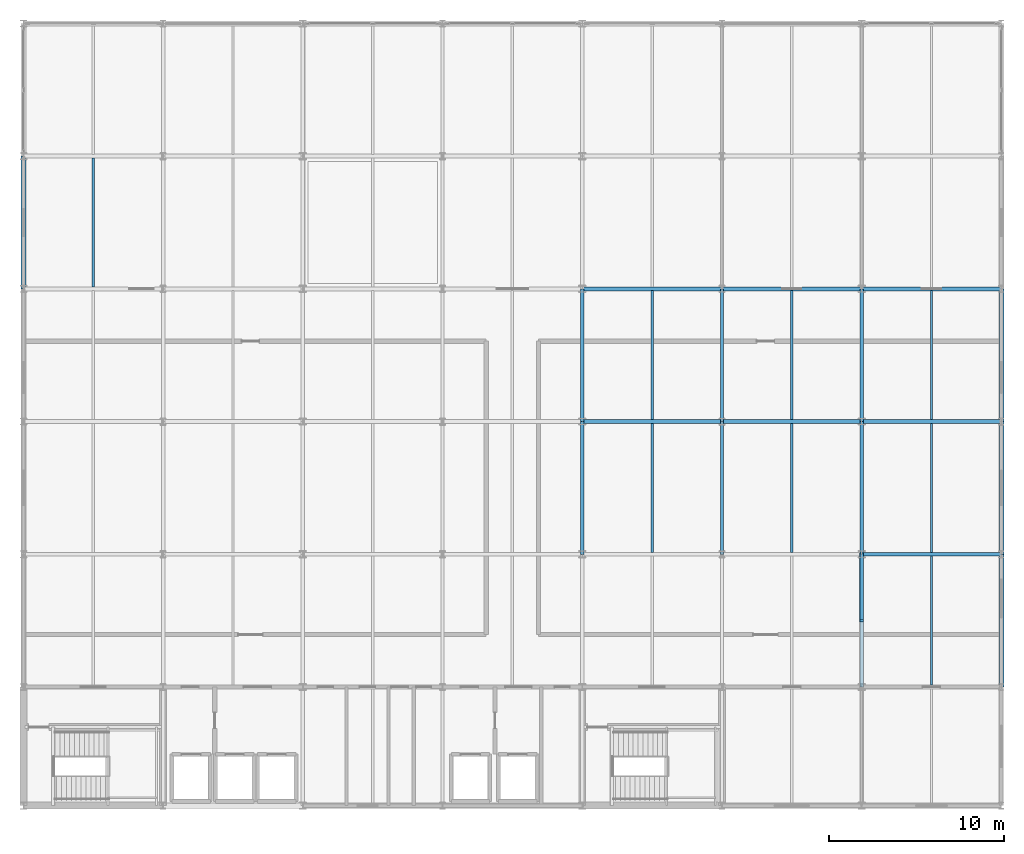
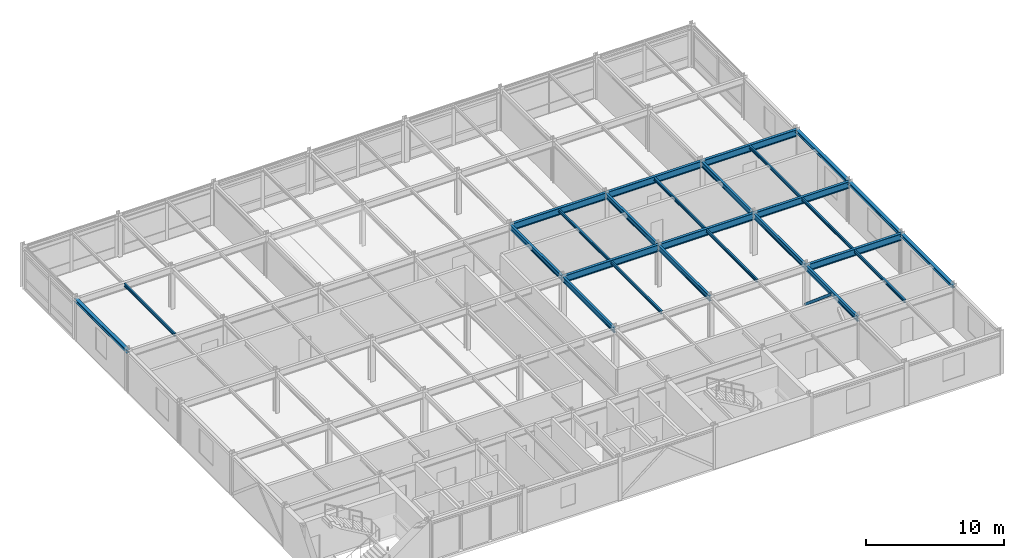
# One storey, part 5 of 14: 26 beams, 1 member.
"""IFC4 building model written with IfcOpenShell, lengths in metres."""

from ifc_helpers import new_model, si_unit, direction, frame, origin, origin_2d, place, context, subcontext, project, spatial, hollow_rectangle, i_section, extrude, material, material_profile, profile_set, type_object, element, save


model = new_model("IFC4")

# Units and contexts
model_context = context("Model", 3, precision=1e-05, world=origin(), true_north=direction((0.0, 1.0)))
body_context = subcontext(model_context, "Body", "Model", "MODEL_VIEW")
ifc_project = project(units=[si_unit("LENGTHUNIT", "METRE"), si_unit("AREAUNIT", "SQUARE_METRE"), si_unit("VOLUMEUNIT", "CUBIC_METRE"), si_unit("PLANEANGLEUNIT", "RADIAN"), si_unit("MASSUNIT", "GRAM", prefix="KILO")], contexts=[model_context])

# Site, building, storey
site_placement = place(None, origin())
site = spatial("IfcSite", under=ifc_project, at=site_placement, CompositionType="ELEMENT")
building_placement = place(site_placement, origin())
building = spatial("IfcBuilding", under=site, at=building_placement, Name="Shalkamar Park Central Library", CompositionType="ELEMENT")
storey_placement = place(building_placement, frame((0.0, 0.0, 28.199951171875)))
storey = spatial("IfcBuildingStorey", under=building, at=storey_placement, Name="L07", CompositionType="ELEMENT", Elevation=28.199951171875)

# Beams
ifc_material = material(Name="Steel S355", Category="steel")
ifc_material_profile_1 = material_profile(ifc_material, i_section(OverallWidth=0.135009765625, OverallDepth=0.27001953125, WebThickness=0.006591796875, FlangeThickness=0.01025390625, FilletRadius=0.014892578125, at=origin_2d()), Name="IPE 270")
ifc_profile_set_1 = profile_set([ifc_material_profile_1], Name="Steel S355")
beam_type_1 = type_object("IfcBeamType", Name="Composite Floor Joist IPE270", PredefinedType="JOIST", material=ifc_profile_set_1)
for number, where, z_axis, x_axis, name in (
    (1, (169.0, 278.10791015625, 3.525146484375), (0.0, 1.0, 0.0), (-1.0, 0.0, 0.0), "Composite Joist 07/F-1 (L07)"),
    (2, (201.0, 262.907958984375, 3.525146484375), (0.0, 1.0, 0.0), (-1.0, 0.0, 0.0), "Composite Joist 11/D-1 (L07)"),
    (3, (201.0, 270.508056640625, 3.525146484375), (0.0, 1.0, 0.0), (-1.0, 0.0, 0.0), "Composite Joist 11/E-1 (L07)"),
    (4, (209.0, 262.907958984375, 3.525146484375), (0.0, 1.0, 0.0), (-1.0, 0.0, 0.0), "Composite Joist 12/D-1 (L07)"),
    (5, (209.0, 270.508056640625, 3.525146484375), (0.0, 1.0, 0.0), (-1.0, 0.0, 0.0), "Composite Joist 12/E-1 (L07)"),
):
    element("IfcBeam", number, at=place(storey_placement, frame(where, z_axis=z_axis, x_axis=x_axis)), inside=storey, type_object=beam_type_1, Name=name, PredefinedType="JOIST", context=body_context, shape_type="SweptSolid", body=[
        extrude(i_section(OverallWidth=0.135009765625, OverallDepth=0.27001953125, WebThickness=0.006591796875, FlangeThickness=0.01025390625, FilletRadius=0.014892578125, at=origin_2d()), origin(), (0.0, 0.0, 1.0), 7.384033203125),
    ])
beam_1_placement = place(storey_placement, frame((217.0, 255.30810546875, 3.525146484375), z_axis=(0.0, 1.0, 0.0), x_axis=(-1.0, 0.0, 0.0)))
element("IfcBeam", 6, at=beam_1_placement, inside=storey, type_object=beam_type_1, Name="Composite Joist 13/C-1 (L07)", PredefinedType="JOIST", context=body_context, shape_type="SweptSolid", body=[
    extrude(i_section(OverallWidth=0.135009765625, OverallDepth=0.27001953125, WebThickness=0.006591796875, FlangeThickness=0.01025390625, FilletRadius=0.014892578125, at=origin_2d()), origin(), (0.0, 0.0, 1.0), 7.3837890625),
])
for number, where, z_axis, x_axis, name in (
    (7, (217.0, 262.907958984375, 3.525146484375), (0.0, 1.0, 0.0), (-1.0, 0.0, 0.0), "Composite Joist 13/D-1 (L07)"),
    (8, (217.0, 270.508056640625, 3.525146484375), (0.0, 1.0, 0.0), (-1.0, 0.0, 0.0), "Composite Joist 13/E-1 (L07)"),
):
    element("IfcBeam", number, at=place(storey_placement, frame(where, z_axis=z_axis, x_axis=x_axis)), inside=storey, type_object=beam_type_1, Name=name, PredefinedType="JOIST", context=body_context, shape_type="SweptSolid", body=[
        extrude(i_section(OverallWidth=0.135009765625, OverallDepth=0.27001953125, WebThickness=0.006591796875, FlangeThickness=0.01025390625, FilletRadius=0.014892578125, at=origin_2d()), origin(), (0.0, 0.0, 1.0), 7.384033203125),
    ])

# Member
ifc_material_profile_2 = material_profile(ifc_material, hollow_rectangle(XDim=0.219970703125, YDim=0.219970703125, WallThickness=0.010009765625, InnerFilletRadius=0.010009765625, OuterFilletRadius=0.014892578125, at=origin_2d()), Name="SHS 220x220x10")
ifc_profile_set_2 = profile_set([ifc_material_profile_2], Name="Steel S355")
member_type = type_object("IfcMemberType", Name="Diagonal Brace SHS220", PredefinedType="BRACE", material=ifc_profile_set_2)
member_placement = place(storey_placement, frame((213.0, 262.800048828125, 0.150146484375), z_axis=(0.0, -0.763927756814, 0.645301776202), x_axis=(1.0, 0.0, 0.0)))
element("IfcMember", 9, at=member_placement, inside=storey, type_object=member_type, Name="Chevron Brace TW-E Leg B (L07)", PredefinedType="BRACE", context=body_context, shape_type="SweptSolid", body=[
    extrude(hollow_rectangle(XDim=0.219970703125, YDim=0.219970703125, WallThickness=0.010009765625, InnerFilletRadius=0.010009765625, OuterFilletRadius=0.014892578125, at=origin_2d()), origin(), (0.0, 0.0, 1.0), 4.974365234375),
])

# Beams
ifc_material_profile_3 = material_profile(ifc_material, i_section(OverallWidth=0.280029296875, OverallDepth=0.27001953125, WebThickness=0.008056640625, FlangeThickness=0.012939453125, FilletRadius=0.02392578125, at=origin_2d()), Name="HEA 280")
ifc_profile_set_3 = profile_set([ifc_material_profile_3], Name="Steel S355")
beam_type_2 = type_object("IfcBeamType", Name="Perimeter Spandrel Beam HEA280", PredefinedType="SPANDREL", material=ifc_profile_set_3)
for number, where, z_axis, x_axis, name in (
    (10, (165.0, 278.0, 3.525146484375), (0.0, 1.0, 0.0), (-1.0, 0.0, 0.0), "Beam 07:F-G (L07)"),
    (11, (221.0, 255.199951171875, 3.525146484375), (0.0, 1.0, 0.0), (-1.0, 0.0, 0.0), "Beam 14:C-D (L07)"),
):
    element("IfcBeam", number, at=place(storey_placement, frame(where, z_axis=z_axis, x_axis=x_axis)), inside=storey, type_object=beam_type_2, Name=name, PredefinedType="SPANDREL", context=body_context, shape_type="SweptSolid", body=[
        extrude(i_section(OverallWidth=0.280029296875, OverallDepth=0.27001953125, WebThickness=0.008056640625, FlangeThickness=0.012939453125, FilletRadius=0.02392578125, at=origin_2d()), origin(), (0.0, 0.0, 1.0), 7.60009765625),
    ])
beam_2_placement = place(storey_placement, frame((221.0, 262.800048828125, 3.525146484375), z_axis=(0.0, 1.0, 0.0), x_axis=(-1.0, 0.0, 0.0)))
element("IfcBeam", 12, at=beam_2_placement, inside=storey, type_object=beam_type_2, Name="Beam 14:D-E (L07)", PredefinedType="SPANDREL", context=body_context, shape_type="SweptSolid", body=[
    extrude(i_section(OverallWidth=0.280029296875, OverallDepth=0.27001953125, WebThickness=0.008056640625, FlangeThickness=0.012939453125, FilletRadius=0.02392578125, at=origin_2d()), origin(), (0.0, 0.0, 1.0), 7.599853515625),
])
beam_3_placement = place(storey_placement, frame((221.0, 270.39990234375, 3.525146484375), z_axis=(0.0, 1.0, 0.0), x_axis=(-1.0, 0.0, 0.0)))
element("IfcBeam", 13, at=beam_3_placement, inside=storey, type_object=beam_type_2, Name="Beam 14:E-F (L07)", PredefinedType="SPANDREL", context=body_context, shape_type="SweptSolid", body=[
    extrude(i_section(OverallWidth=0.280029296875, OverallDepth=0.27001953125, WebThickness=0.008056640625, FlangeThickness=0.012939453125, FilletRadius=0.02392578125, at=origin_2d()), origin(), (0.0, 0.0, 1.0), 7.60009765625),
])
ifc_material_profile_4 = material_profile(ifc_material, i_section(OverallWidth=0.18994140625, OverallDepth=0.449951171875, WebThickness=0.009521484375, FlangeThickness=0.0146484375, FilletRadius=0.02099609375, at=origin_2d()), Name="IPE 450")
ifc_profile_set_4 = profile_set([ifc_material_profile_4], Name="Steel S355")
beam_type_3 = type_object("IfcBeamType", Name="Primary Girder IPE450", PredefinedType="BEAM", material=ifc_profile_set_4)
beam_4_placement = place(storey_placement, frame((197.0, 262.800048828125, 3.43505859375), z_axis=(0.0, 1.0, 0.0), x_axis=(-1.0, 0.0, 0.0)))
element("IfcBeam", 14, at=beam_4_placement, inside=storey, type_object=beam_type_3, Name="Beam 11:D-E (L07)", PredefinedType="BEAM", context=body_context, shape_type="SweptSolid", body=[
    extrude(i_section(OverallWidth=0.18994140625, OverallDepth=0.449951171875, WebThickness=0.009521484375, FlangeThickness=0.0146484375, FilletRadius=0.02099609375, at=origin_2d()), origin(), (0.0, 0.0, 1.0), 7.599853515625),
])
beam_5_placement = place(storey_placement, frame((197.0, 270.39990234375, 3.43505859375), z_axis=(0.0, 1.0, 0.0), x_axis=(-1.0, 0.0, 0.0)))
element("IfcBeam", 15, at=beam_5_placement, inside=storey, type_object=beam_type_3, Name="Beam 11:E-F (L07)", PredefinedType="BEAM", context=body_context, shape_type="SweptSolid", body=[
    extrude(i_section(OverallWidth=0.18994140625, OverallDepth=0.449951171875, WebThickness=0.009521484375, FlangeThickness=0.0146484375, FilletRadius=0.02099609375, at=origin_2d()), origin(), (0.0, 0.0, 1.0), 7.60009765625),
])
beam_6_placement = place(storey_placement, frame((205.0, 262.800048828125, 3.43505859375), z_axis=(0.0, 1.0, 0.0), x_axis=(-1.0, 0.0, 0.0)))
element("IfcBeam", 16, at=beam_6_placement, inside=storey, type_object=beam_type_3, Name="Beam 12:D-E (L07)", PredefinedType="BEAM", context=body_context, shape_type="SweptSolid", body=[
    extrude(i_section(OverallWidth=0.18994140625, OverallDepth=0.449951171875, WebThickness=0.009521484375, FlangeThickness=0.0146484375, FilletRadius=0.02099609375, at=origin_2d()), origin(), (0.0, 0.0, 1.0), 7.599853515625),
])
for number, where, z_axis, x_axis, name in (
    (17, (205.0, 270.39990234375, 3.43505859375), (0.0, 1.0, 0.0), (-1.0, 0.0, 0.0), "Beam 12:E-F (L07)"),
    (18, (213.0, 255.199951171875, 3.43505859375), (0.0, 1.0, 0.0), (-1.0, 0.0, 0.0), "Beam 13:C-D (L07)"),
):
    element("IfcBeam", number, at=place(storey_placement, frame(where, z_axis=z_axis, x_axis=x_axis)), inside=storey, type_object=beam_type_3, Name=name, PredefinedType="BEAM", context=body_context, shape_type="SweptSolid", body=[
        extrude(i_section(OverallWidth=0.18994140625, OverallDepth=0.449951171875, WebThickness=0.009521484375, FlangeThickness=0.0146484375, FilletRadius=0.02099609375, at=origin_2d()), origin(), (0.0, 0.0, 1.0), 7.60009765625),
    ])
beam_7_placement = place(storey_placement, frame((213.0, 262.800048828125, 3.43505859375), z_axis=(0.0, 1.0, 0.0), x_axis=(-1.0, 0.0, 0.0)))
element("IfcBeam", 19, at=beam_7_placement, inside=storey, type_object=beam_type_3, Name="Beam 13:D-E (L07)", PredefinedType="BEAM", context=body_context, shape_type="SweptSolid", body=[
    extrude(i_section(OverallWidth=0.18994140625, OverallDepth=0.449951171875, WebThickness=0.009521484375, FlangeThickness=0.0146484375, FilletRadius=0.02099609375, at=origin_2d()), origin(), (0.0, 0.0, 1.0), 7.599853515625),
])
beam_8_placement = place(storey_placement, frame((213.0, 270.39990234375, 3.43505859375), z_axis=(0.0, 1.0, 0.0), x_axis=(-1.0, 0.0, 0.0)))
element("IfcBeam", 20, at=beam_8_placement, inside=storey, type_object=beam_type_3, Name="Beam 13:E-F (L07)", PredefinedType="BEAM", context=body_context, shape_type="SweptSolid", body=[
    extrude(i_section(OverallWidth=0.18994140625, OverallDepth=0.449951171875, WebThickness=0.009521484375, FlangeThickness=0.0146484375, FilletRadius=0.02099609375, at=origin_2d()), origin(), (0.0, 0.0, 1.0), 7.60009765625),
])
ifc_material_profile_5 = material_profile(ifc_material, i_section(OverallWidth=0.219970703125, OverallDepth=0.60009765625, WebThickness=0.011962890625, FlangeThickness=0.01904296875, FilletRadius=0.02392578125, at=origin_2d()), Name="IPE 600")
ifc_profile_set_5 = profile_set([ifc_material_profile_5], Name="Steel S355")
beam_type_4 = type_object("IfcBeamType", Name="Primary Girder IPE600", PredefinedType="BEAM", material=ifc_profile_set_5)
for number, where, z_axis, x_axis, name in (
    (21, (213.0, 262.800048828125, 3.360107421875), (1.0, 0.0, 0.0), (0.0, 1.0, 0.0), "Beam D:13-14 (L07)"),
    (22, (197.0, 270.39990234375, 3.360107421875), (1.0, 0.0, 0.0), (0.0, 1.0, 0.0), "Beam E:11-12 (L07)"),
    (23, (205.0, 270.39990234375, 3.360107421875), (1.0, 0.0, 0.0), (0.0, 1.0, 0.0), "Beam E:12-13 (L07)"),
    (24, (213.0, 270.39990234375, 3.360107421875), (1.0, 0.0, 0.0), (0.0, 1.0, 0.0), "Beam E:13-14 (L07)"),
    (25, (197.0, 278.0, 3.360107421875), (1.0, 0.0, 0.0), (0.0, 1.0, 0.0), "Beam F:11-12 (L07)"),
    (26, (205.0, 278.0, 3.360107421875), (1.0, 0.0, 0.0), (0.0, 1.0, 0.0), "Beam F:12-13 (L07)"),
    (27, (213.0, 278.0, 3.360107421875), (1.0, 0.0, 0.0), (0.0, 1.0, 0.0), "Beam F:13-14 (L07)"),
):
    element("IfcBeam", number, at=place(storey_placement, frame(where, z_axis=z_axis, x_axis=x_axis)), inside=storey, type_object=beam_type_4, Name=name, PredefinedType="BEAM", context=body_context, shape_type="SweptSolid", body=[
        extrude(i_section(OverallWidth=0.219970703125, OverallDepth=0.60009765625, WebThickness=0.011962890625, FlangeThickness=0.01904296875, FilletRadius=0.02392578125, at=origin_2d()), origin(), (0.0, 0.0, 1.0), 8.0),
    ])

save(model, "model.ifc")
